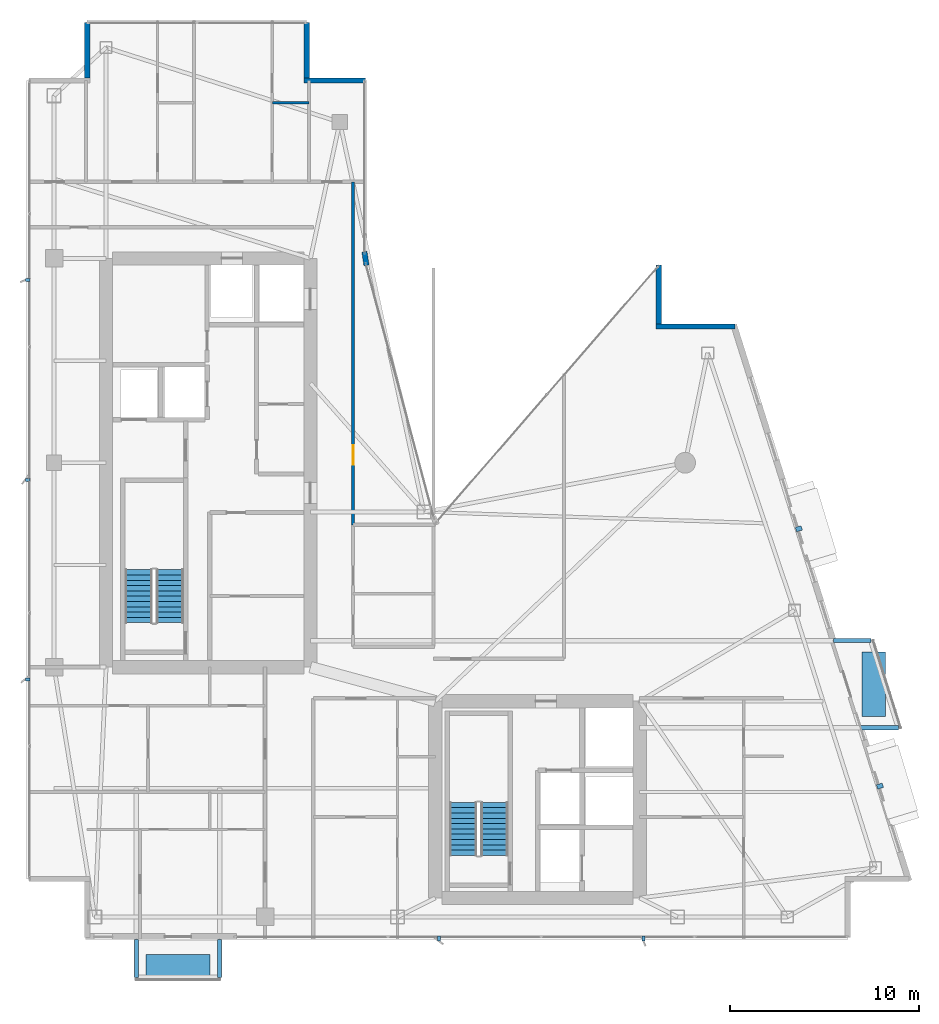
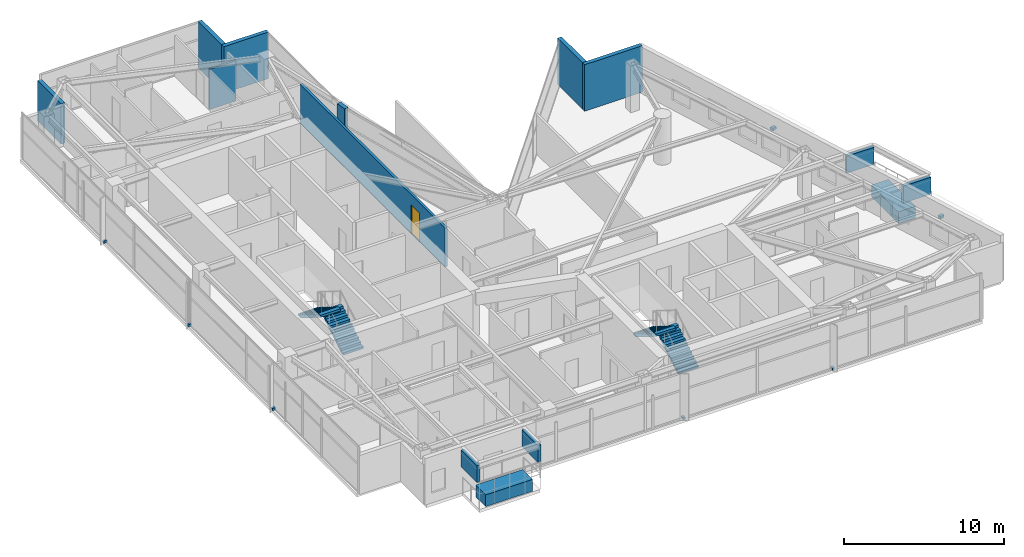
# One storey, part 27 of 29: 13 discrete accessories, 8 walls, 4 stair flights, 1 door, 1 opening, 2 elements without a shape of their own.
"""IFC4 building model written with IfcOpenShell, lengths in metres."""

from ifc_helpers import new_model, si_unit, direction, frame, frame_2d, origin, origin_2d, place, context, subcontext, project, spatial, polyline, rectangle, outline, extrude, material, layer, layer_set, type_object, element, fill, aggregate, save


model = new_model("IFC4")

# Units and contexts
model_context = context("Model", 3, precision=1e-05, world=origin(), true_north=direction((0.0, 1.0)))
body_context = subcontext(model_context, "Body", "Model", "MODEL_VIEW")
ifc_project = project(units=[si_unit("LENGTHUNIT", "METRE"), si_unit("AREAUNIT", "SQUARE_METRE"), si_unit("VOLUMEUNIT", "CUBIC_METRE"), si_unit("PLANEANGLEUNIT", "RADIAN"), si_unit("MASSUNIT", "GRAM", prefix="KILO")], contexts=[model_context])

# Site, building, storey
site_placement = place(None, origin())
site = spatial("IfcSite", under=ifc_project, at=site_placement, CompositionType="ELEMENT")
building_placement = place(site_placement, origin())
building = spatial("IfcBuilding", under=site, at=building_placement, Name="Calvorn Quay Hotel", CompositionType="ELEMENT")
storey_placement = place(building_placement, frame((0.0, 0.0, 247.60009765625)))
storey = spatial("IfcBuildingStorey", under=building, at=storey_placement, Name="L61", CompositionType="ELEMENT", Elevation=247.60009765625)

# Wall, opening, door
ifc_material_1 = material(Name="Acoustic Fireboard Steel-Stud Partition", Category="steel")
ifc_layer_1 = layer(ifc_material_1, 0.179931640625)
ifc_layer_set_1 = layer_set([ifc_layer_1], Name="WL-CORR-FIRE-180")
wall_type_1 = type_object("IfcWallType", Name="WL-CORR-FIRE-180", PredefinedType="PARTITIONING", material=ifc_layer_set_1)
wall_1_placement = place(storey_placement, frame((17.25, 24.300048828125, 0.0), z_axis=(0.0, 0.0, 1.0), x_axis=(0.0, 1.0, 0.0)))
wall_1 = element("IfcWall", 1, at=wall_1_placement, inside=storey, type_object=wall_type_1, Name="Partition Wall L61-WL-NW-CLOSURE-E", PredefinedType="PARTITIONING", context=body_context, shape_type="SweptSolid", body=[
    extrude(rectangle(XDim=18.14990234375, YDim=0.179931640625, at=frame_2d((9.074951171875, 0.0))), origin(), (0.0, 0.0, 1.0), 2.989990234375),
])
opening_placement = place(wall_1_placement, frame((3.199951171875, 0.0, 0.0)))
opening = element("IfcOpeningElement", 2, at=opening_placement, cuts=wall_1, Name="Opening D-L61-NCU", PredefinedType="OPENING", context=body_context, shape_type="SweptSolid", body=[
    extrude(rectangle(XDim=1.02001953125, YDim=2.199951171875, at=frame_2d((0.510009765625, 1.10009765625))), frame((0.0, 0.099853515625, 0.0), z_axis=(0.0, -1.0, 0.0), x_axis=(1.0, 0.0, 0.0)), (0.0, 0.0, 1.0), 0.199951171875),
])
ifc_material_2 = material(Name="Solid-Core Walnut Veneer Hotel Fire Door")
door_type = type_object("IfcDoorType", Name="DR-GUEST-ENTRY-1020", OperationType="NOTDEFINED", PredefinedType="DOOR", material=ifc_material_2)
door_placement = place(opening_placement, origin())
door = element("IfcDoor", 3, at=door_placement, inside=storey, type_object=door_type, Name="Inner Court Horizon Study Door (L61)", OperationType="SINGLE_SWING_RIGHT", OverallHeight=2.199951171875, OverallWidth=1.02001953125, PredefinedType="DOOR", context=body_context, shape_type="SweptSolid", body=[
    extrude(rectangle(XDim=1.02001953125, YDim=2.199951171875, at=frame_2d((0.510009765625, 1.10009765625))), frame((0.0, 0.02490234375, 0.0), z_axis=(0.0, -1.0, 0.0), x_axis=(1.0, 0.0, 0.0)), (0.0, 0.0, 1.0), 0.050048828125),
])
fill(opening, door)

# Walls
ifc_material_3 = material(Name="Moisture-Resistant Tile-Backed Partition")
ifc_layer_2 = layer(ifc_material_3, 0.125)
ifc_layer_set_2 = layer_set([ifc_layer_2], Name="WL-ENSUITE-125")
wall_type_2 = type_object("IfcWallType", Name="WL-ENSUITE-125", PredefinedType="PARTITIONING", material=ifc_layer_set_2)
wall_2_placement = place(storey_placement, frame((12.989990234375, 46.6201171875, 0.0), z_axis=(0.0, 0.0, 1.0), x_axis=(1.0, 0.0, 0.0)))
element("IfcWall", 4, at=wall_2_placement, inside=storey, type_object=wall_type_2, Name="Partition Wall L61-WL-U05-BDV", PredefinedType="PARTITIONING", context=body_context, shape_type="SweptSolid", body=[
    extrude(rectangle(XDim=1.929931640625, YDim=0.125, at=frame_2d((0.96484375, 0.0))), origin(), (0.0, 0.0, 1.0), 3.08984375),
])
ifc_material_4 = material(Name="Concrete C40", Category="concrete")
ifc_layer_3 = layer(ifc_material_4, 0.320068359375)
ifc_layer_set_3 = layer_set([ifc_layer_3], Name="WL-EXT-SPANDREL-320")
wall_type_3 = type_object("IfcWallType", Name="WL-EXT-SPANDREL-320", PredefinedType="SOLIDWALL", material=ifc_layer_set_3)
wall_3_placement = place(storey_placement, frame((17.9619140625, 38.030029296875, 0.0), z_axis=(0.0, 0.0, 1.0), x_axis=(-0.15141125477, 0.988470855377, 0.0)))
element("IfcWall", 5, at=wall_3_placement, inside=storey, type_object=wall_type_3, Name="Inner Court Corner Pier L61-ICJ2", PredefinedType="SOLIDWALL", context=body_context, shape_type="SweptSolid", body=[
    extrude(rectangle(XDim=0.738525390625, YDim=0.280029296875, at=frame_2d((0.369140625, 0.0))), origin(), (0.0, 0.0, 1.0), 3.559814453125),
])
wall_4_placement = place(storey_placement, frame((37.43994140625, 34.800048828125, 0.0), z_axis=(0.0, 0.0, 1.0), x_axis=(-1.0, 0.0, 0.0)))
element("IfcWall", 6, at=wall_4_placement, inside=storey, type_object=wall_type_3, Name="Notched Corner Spandrel L61-NE1", PredefinedType="SOLIDWALL", context=body_context, shape_type="SweptSolid", body=[
    extrude(rectangle(XDim=4.179931640625, YDim=0.280029296875, at=frame_2d((2.08984375, 0.0))), origin(), (0.0, 0.0, 1.0), 3.559814453125),
])
wall_5_placement = place(storey_placement, frame((33.39990234375, 34.93994140625, 0.0), z_axis=(0.0, 0.0, 1.0), x_axis=(0.0, 1.0, 0.0)))
element("IfcWall", 7, at=wall_5_placement, inside=storey, type_object=wall_type_3, Name="Notched Corner Spandrel L61-NE2", PredefinedType="SOLIDWALL", context=body_context, shape_type="SweptSolid", body=[
    extrude(rectangle(XDim=3.10009765625, YDim=0.280029296875, at=frame_2d((1.550048828125, 0.0))), origin(), (0.0, 0.0, 1.0), 3.559814453125),
])
wall_6_placement = place(storey_placement, frame((17.89990234375, 47.800048828125, 0.0), z_axis=(0.0, 0.0, 1.0), x_axis=(-1.0, 0.0, 0.0)))
element("IfcWall", 8, at=wall_6_placement, inside=storey, type_object=wall_type_3, Name="Notched Corner Spandrel L61-NWE1", PredefinedType="SOLIDWALL", context=body_context, shape_type="SweptSolid", body=[
    extrude(rectangle(XDim=3.239990234375, YDim=0.280029296875, at=frame_2d((1.6201171875, 0.0))), origin(), (0.0, 0.0, 1.0), 3.559814453125),
])
wall_7_placement = place(storey_placement, frame((14.800048828125, 47.93994140625, 0.0), z_axis=(0.0, 0.0, 1.0), x_axis=(0.0, 1.0, 0.0)))
element("IfcWall", 9, at=wall_7_placement, inside=storey, type_object=wall_type_3, Name="Notched Corner Spandrel L61-NWE2", PredefinedType="SOLIDWALL", context=body_context, shape_type="SweptSolid", body=[
    extrude(rectangle(XDim=2.93994140625, YDim=0.280029296875, at=frame_2d((1.469970703125, 0.0))), origin(), (0.0, 0.0, 1.0), 3.559814453125),
])
wall_8_placement = place(storey_placement, frame((3.199951171875, 50.8798828125, 0.0), z_axis=(0.0, 0.0, 1.0), x_axis=(0.0, -1.0, 0.0)))
element("IfcWall", 10, at=wall_8_placement, inside=storey, type_object=wall_type_3, Name="Notched Corner Spandrel L61-NW1", PredefinedType="SOLIDWALL", context=body_context, shape_type="SweptSolid", body=[
    extrude(rectangle(XDim=2.93994140625, YDim=0.280029296875, at=frame_2d((1.469970703125, 0.0))), origin(), (0.0, 0.0, 1.0), 3.08984375),
])

# Stair, stair flights
ifc_material_5 = material(Name="Concrete C40", Category="concrete")
stair_type = type_object("IfcStairType", Name="STR-CORE-DOGLEG", PredefinedType="HALF_TURN_STAIR", material=ifc_material_5)
stair_1_placement = place(storey_placement, origin())
stair_1 = element("IfcStair", 11, at=stair_1_placement, inside=storey, type_object=stair_type, Name="L61 ST-W", PredefinedType="HALF_TURN_STAIR")
ifc_material_6 = material(Name="Concrete C40", Category="concrete")
stair_flight_type = type_object("IfcStairFlightType", Name="FLT-CORE-1550", PredefinedType="STRAIGHT", material=ifc_material_6)
stair_flight_1_placement = place(storey_placement, frame((7.574951171875, 19.14990234375, 0.0), z_axis=(0.0, 0.0, 1.0), x_axis=(0.0, 1.0, 0.0)))
stair_flight_1 = element("IfcStairFlight", 12, at=stair_flight_1_placement, type_object=stair_flight_type, Name="ST-W flight 1", NumberOfRisers=11, NumberOfTreads=10, PredefinedType="STRAIGHT", RiserHeight=0.172727273, TreadLength=0.28, context=body_context, shape_type="SweptSolid", body=[
    extrude(outline(polyline([(0.0, 0.0), (0.0, 0.172607421875), (0.280029296875, 0.172607421875), (0.280029296875, 0.345458984375), (0.56005859375, 0.345458984375), (0.56005859375, 0.51806640625), (0.840087890625, 0.51806640625), (0.840087890625, 0.69091796875), (1.1201171875, 0.69091796875), (1.1201171875, 0.863525390625), (1.39990234375, 0.863525390625), (1.39990234375, 1.036376953125), (1.679931640625, 1.036376953125), (1.679931640625, 1.208984375), (1.9599609375, 1.208984375), (1.9599609375, 1.3818359375), (2.239990234375, 1.3818359375), (2.239990234375, 1.554443359375), (2.52001953125, 1.554443359375), (2.52001953125, 1.727294921875), (2.800048828125, 1.727294921875), (2.800048828125, 1.89990234375), (2.800048828125, 1.551025390625), (0.285400390625, 0.0), (0.0, 0.0)])), frame((0.0, 0.72509765625, 0.0), z_axis=(0.0, -1.0, 0.0), x_axis=(1.0, 0.0, 0.0)), (0.0, 0.0, 1.0), 1.449951171875),
])
stair_flight_2_placement = place(storey_placement, frame((5.925048828125, 21.949951171875, 1.89990234375), z_axis=(0.0, 0.0, 1.0), x_axis=(0.0, -1.0, 0.0)))
stair_flight_2 = element("IfcStairFlight", 13, at=stair_flight_2_placement, type_object=stair_flight_type, Name="ST-W flight 2", NumberOfRisers=11, NumberOfTreads=10, PredefinedType="STRAIGHT", RiserHeight=0.172727273, TreadLength=0.28, context=body_context, shape_type="SweptSolid", body=[
    extrude(outline(polyline([(0.0, 0.0), (0.0, 0.172607421875), (0.280029296875, 0.172607421875), (0.280029296875, 0.345458984375), (0.56005859375, 0.345458984375), (0.56005859375, 0.51806640625), (0.840087890625, 0.51806640625), (0.840087890625, 0.69091796875), (1.1201171875, 0.69091796875), (1.1201171875, 0.863525390625), (1.39990234375, 0.863525390625), (1.39990234375, 1.036376953125), (1.679931640625, 1.036376953125), (1.679931640625, 1.208984375), (1.9599609375, 1.208984375), (1.9599609375, 1.3818359375), (2.239990234375, 1.3818359375), (2.239990234375, 1.554443359375), (2.52001953125, 1.554443359375), (2.52001953125, 1.727294921875), (2.800048828125, 1.727294921875), (2.800048828125, 1.89990234375), (2.800048828125, 1.551025390625), (0.285400390625, 0.0), (0.0, 0.0)])), frame((0.0, 0.72509765625, 0.0), z_axis=(0.0, -1.0, 0.0), x_axis=(1.0, 0.0, 0.0)), (0.0, 0.0, 1.0), 1.449951171875),
])
aggregate(stair_1, [stair_flight_1, stair_flight_2])

stair_2_placement = place(storey_placement, origin())
stair_2 = element("IfcStair", 14, at=stair_2_placement, inside=storey, type_object=stair_type, Name="L61 ST-E", PredefinedType="HALF_TURN_STAIR")
stair_flight_3_placement = place(storey_placement, frame((24.72509765625, 6.85009765625, 0.0), z_axis=(0.0, 0.0, 1.0), x_axis=(0.0, 1.0, 0.0)))
stair_flight_3 = element("IfcStairFlight", 15, at=stair_flight_3_placement, type_object=stair_flight_type, Name="ST-E flight 1", NumberOfRisers=11, NumberOfTreads=10, PredefinedType="STRAIGHT", RiserHeight=0.172727273, TreadLength=0.28, context=body_context, shape_type="SweptSolid", body=[
    extrude(outline(polyline([(0.0, 0.0), (0.0, 0.172607421875), (0.280029296875, 0.172607421875), (0.280029296875, 0.345458984375), (0.56005859375, 0.345458984375), (0.56005859375, 0.51806640625), (0.840087890625, 0.51806640625), (0.840087890625, 0.69091796875), (1.1201171875, 0.69091796875), (1.1201171875, 0.863525390625), (1.39990234375, 0.863525390625), (1.39990234375, 1.036376953125), (1.679931640625, 1.036376953125), (1.679931640625, 1.208984375), (1.9599609375, 1.208984375), (1.9599609375, 1.3818359375), (2.239990234375, 1.3818359375), (2.239990234375, 1.554443359375), (2.52001953125, 1.554443359375), (2.52001953125, 1.727294921875), (2.800048828125, 1.727294921875), (2.800048828125, 1.89990234375), (2.800048828125, 1.551025390625), (0.285400390625, 0.0), (0.0, 0.0)])), frame((0.0, 0.72509765625, 0.0), z_axis=(0.0, -1.0, 0.0), x_axis=(1.0, 0.0, 0.0)), (0.0, 0.0, 1.0), 1.449951171875),
])
stair_flight_4_placement = place(storey_placement, frame((23.074951171875, 9.64990234375, 1.89990234375), z_axis=(0.0, 0.0, 1.0), x_axis=(0.0, -1.0, 0.0)))
stair_flight_4 = element("IfcStairFlight", 16, at=stair_flight_4_placement, type_object=stair_flight_type, Name="ST-E flight 2", NumberOfRisers=11, NumberOfTreads=10, PredefinedType="STRAIGHT", RiserHeight=0.172727273, TreadLength=0.28, context=body_context, shape_type="SweptSolid", body=[
    extrude(outline(polyline([(0.0, 0.0), (0.0, 0.172607421875), (0.280029296875, 0.172607421875), (0.280029296875, 0.345458984375), (0.56005859375, 0.345458984375), (0.56005859375, 0.51806640625), (0.840087890625, 0.51806640625), (0.840087890625, 0.69091796875), (1.1201171875, 0.69091796875), (1.1201171875, 0.863525390625), (1.39990234375, 0.863525390625), (1.39990234375, 1.036376953125), (1.679931640625, 1.036376953125), (1.679931640625, 1.208984375), (1.9599609375, 1.208984375), (1.9599609375, 1.3818359375), (2.239990234375, 1.3818359375), (2.239990234375, 1.554443359375), (2.52001953125, 1.554443359375), (2.52001953125, 1.727294921875), (2.800048828125, 1.727294921875), (2.800048828125, 1.89990234375), (2.800048828125, 1.551025390625), (0.285400390625, 0.0), (0.0, 0.0)])), frame((0.0, 0.72509765625, 0.0), z_axis=(0.0, -1.0, 0.0), x_axis=(1.0, 0.0, 0.0)), (0.0, 0.0, 1.0), 1.449951171875),
])
aggregate(stair_2, [stair_flight_3, stair_flight_4])

# Discrete accessories
ifc_material_7 = material(Name="Steel Q355B", Category="steel")
discrete_accessory_type_1 = type_object("IfcDiscreteAccessoryType", Name="ACC-BALC-STRUT", PredefinedType="BRACKET", material=ifc_material_7)
for number, where, z_axis, x_axis, name in (
    (17, (45.073974609375, 13.60009765625, 2.0146484375), (0.0, 0.0, 1.0), (1.0, 0.0, 0.0), "Exterior Balcony Steel Bracket L62-BALC-E-A"),
    (18, (43.625, 18.199951171875, 2.0146484375), (0.0, 0.0, 1.0), (1.0, 0.0, 0.0), "Exterior Balcony Steel Bracket L62-BALC-E-B"),
):
    element("IfcDiscreteAccessory", number, at=place(storey_placement, frame(where, z_axis=z_axis, x_axis=x_axis)), inside=storey, type_object=discrete_accessory_type_1, Name=name, PredefinedType="BRACKET", context=body_context, shape_type="SweptSolid", body=[
        extrude(rectangle(XDim=1.989990234375, YDim=0.219970703125, at=origin_2d()), origin(), (0.0, 0.0, 1.0), 1.300048828125),
    ])
for number, where, z_axis, x_axis, name in (
    (19, (5.800048828125, 1.405029296875, 2.0146484375), (0.0, 0.0, 1.0), (1.0, 0.0, 0.0), "Exterior Balcony Steel Bracket L62-BALC-S-A"),
    (20, (10.199951171875, 1.405029296875, 2.0146484375), (0.0, 0.0, 1.0), (1.0, 0.0, 0.0), "Exterior Balcony Steel Bracket L62-BALC-S-B"),
):
    element("IfcDiscreteAccessory", number, at=place(storey_placement, frame(where, z_axis=z_axis, x_axis=x_axis)), inside=storey, type_object=discrete_accessory_type_1, Name=name, PredefinedType="BRACKET", context=body_context, shape_type="SweptSolid", body=[
        extrude(rectangle(XDim=0.219970703125, YDim=1.989990234375, at=origin_2d()), origin(), (0.0, 0.0, 1.0), 1.300048828125),
    ])
ifc_material_8 = material(Name="Steel Q355B", Category="steel")
discrete_accessory_type_2 = type_object("IfcDiscreteAccessoryType", Name="ACC-FIN-BRACKET", PredefinedType="BRACKET", material=ifc_material_8)
for number, where, z_axis, x_axis, name in (
    (21, (0.06005859375, 16.14990234375, 0.02978515625), (0.0, 0.0, 1.0), (1.0, 0.0, 0.0), "Fin Anchor Bracket L61-W01"),
    (22, (0.06005859375, 26.699951171875, 0.02978515625), (0.0, 0.0, 1.0), (1.0, 0.0, 0.0), "Fin Anchor Bracket L61-W02"),
    (23, (0.06005859375, 37.25, 0.02978515625), (0.0, 0.0, 1.0), (1.0, 0.0, 0.0), "Fin Anchor Bracket L61-W03"),
    (24, (21.800048828125, 2.4599609375, 0.02978515625), (0.0, 0.0, 1.0), (0.0, 1.0, 0.0), "Fin Anchor Bracket L61-S01"),
    (25, (32.60009765625, 2.4599609375, 0.02978515625), (0.0, 0.0, 1.0), (0.0, 1.0, 0.0), "Fin Anchor Bracket L61-S02"),
):
    element("IfcDiscreteAccessory", number, at=place(storey_placement, frame(where, z_axis=z_axis, x_axis=x_axis)), inside=storey, type_object=discrete_accessory_type_2, Name=name, PredefinedType="BRACKET", context=body_context, shape_type="SweptSolid", body=[
        extrude(rectangle(XDim=0.239990234375, YDim=0.159912109375, at=origin_2d()), origin(), (0.0, 0.0, 1.0), 0.179931640625),
    ])
for number, where, z_axis, x_axis, name in (
    (26, (45.094970703125, 10.511962890625, 2.3701171875), (0.0, 0.0, 1.0), (0.957319497532, 0.289031796944, 0.0), "Bay Hood Support Bracket L61-HOOD-1"),
    (27, (40.81005859375, 24.112060546875, 2.3701171875), (0.0, 0.0, 1.0), (0.957319497532, 0.289031796944, 0.0), "Bay Hood Support Bracket L61-HOOD-3"),
):
    element("IfcDiscreteAccessory", number, at=place(storey_placement, frame(where, z_axis=z_axis, x_axis=x_axis)), inside=storey, type_object=discrete_accessory_type_2, Name=name, PredefinedType="BRACKET", context=body_context, shape_type="SweptSolid", body=[
        extrude(rectangle(XDim=0.320068359375, YDim=0.239990234375, at=origin_2d()), origin(), (0.0, 0.0, 1.0), 0.199951171875),
    ])
ifc_material_9 = material(Name="Precast concrete C40", Category="concrete")
discrete_accessory_type_3 = type_object("IfcDiscreteAccessoryType", Name="ACC-TREE-PLANTER", PredefinedType="USERDEFINED", material=ifc_material_9)
discrete_accessory_1_placement = place(storey_placement, frame((44.763916015625, 15.89990234375, 0.0), z_axis=(0.0, 0.0, 1.0), x_axis=(1.0, 0.0, 0.0)))
element("IfcDiscreteAccessory", 28, at=discrete_accessory_1_placement, inside=storey, type_object=discrete_accessory_type_3, Name="Subtropical Tree Structural Planter L61-BALC-E", ObjectType="PLANTER", PredefinedType="USERDEFINED", context=body_context, shape_type="SweptSolid", body=[
    extrude(rectangle(XDim=1.25, YDim=3.39990234375, at=origin_2d()), origin(), (0.0, 0.0, 1.0), 0.89990234375),
])
discrete_accessory_2_placement = place(storey_placement, frame((8.0, 0.989990234375, 0.0), z_axis=(0.0, 0.0, 1.0), x_axis=(1.0, 0.0, 0.0)))
element("IfcDiscreteAccessory", 29, at=discrete_accessory_2_placement, inside=storey, type_object=discrete_accessory_type_3, Name="Subtropical Tree Structural Planter L61-BALC-S", ObjectType="PLANTER", PredefinedType="USERDEFINED", context=body_context, shape_type="SweptSolid", body=[
    extrude(rectangle(XDim=3.39990234375, YDim=1.25, at=origin_2d()), origin(), (0.0, 0.0, 1.0), 0.89990234375),
])

save(model, "model.ifc")
